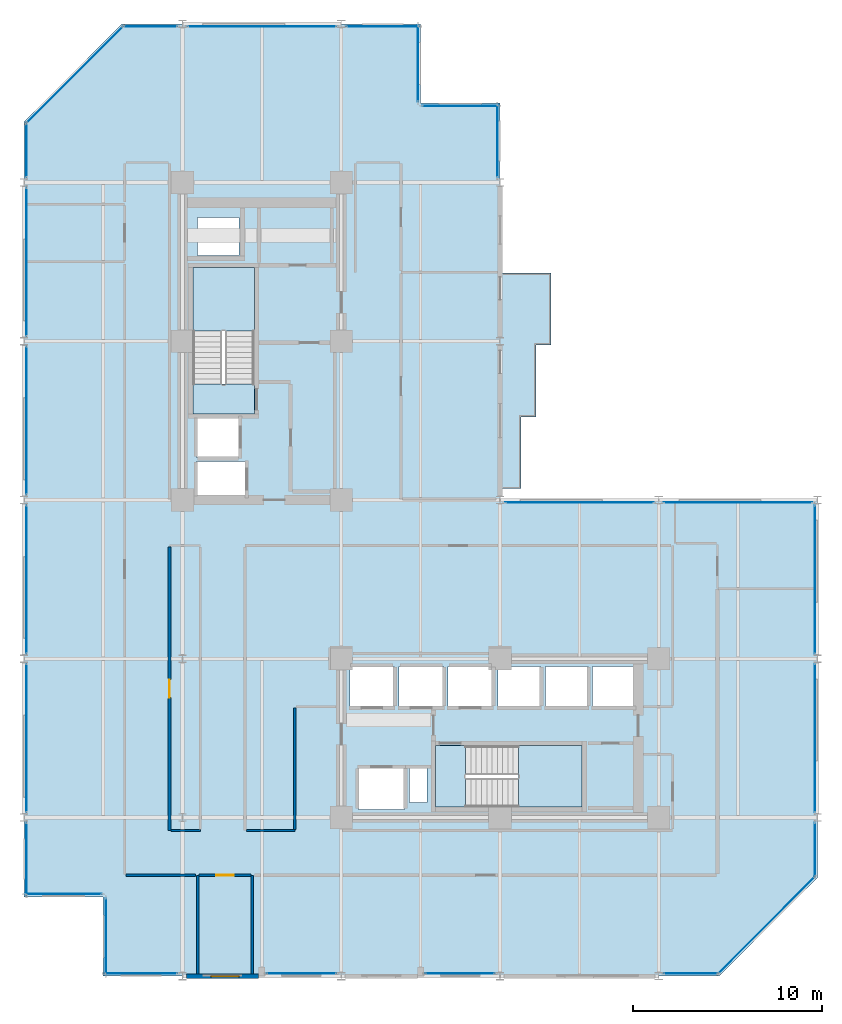
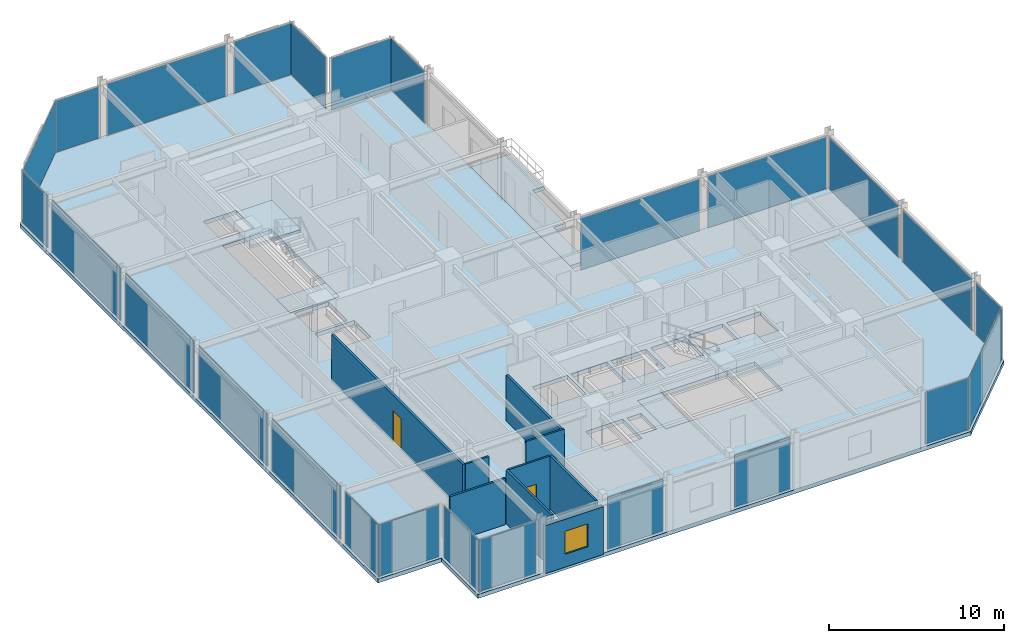
# One storey, part 23 of 29: 25 plates, 9 walls, 6 slabs, 2 doors, 1 window, 3 openings, 27 elements without a shape of their own.
"""IFC4 building model written with IfcOpenShell, lengths in metres."""

from ifc_helpers import new_model, si_unit, direction, frame, frame_2d, origin, origin_2d, place, context, subcontext, project, spatial, polyline, rectangle, outline, extrude, material, layer, layer_set, type_object, element, fill, aggregate, save


model = new_model("IFC4")

# Units and contexts
model_context = context("Model", 3, precision=1e-05, world=origin(), true_north=direction((0.0, 1.0)))
body_context = subcontext(model_context, "Body", "Model", "MODEL_VIEW")
ifc_project = project(units=[si_unit("LENGTHUNIT", "METRE"), si_unit("AREAUNIT", "SQUARE_METRE"), si_unit("VOLUMEUNIT", "CUBIC_METRE"), si_unit("PLANEANGLEUNIT", "RADIAN"), si_unit("MASSUNIT", "GRAM", prefix="KILO")], contexts=[model_context])

# Site, building, storey
site_placement = place(None, origin())
site = spatial("IfcSite", under=ifc_project, at=site_placement, CompositionType="ELEMENT")
building_placement = place(site_placement, origin())
building = spatial("IfcBuilding", under=site, at=building_placement, Name="Nerrivon Quay Data Exchange", CompositionType="ELEMENT")
storey_placement = place(building_placement, frame((0.0, 0.0, 158.199951171875)))
storey = spatial("IfcBuildingStorey", under=building, at=storey_placement, Name="L37", CompositionType="ELEMENT", Elevation=158.199951171875)

# Curtain wall, plate
ifc_material_1 = material(Name="Anodised aluminium 6063-T6", Category="aluminium")
ifc_layer_1 = layer(ifc_material_1, 0.2099609375)
ifc_layer_set_1 = layer_set([ifc_layer_1], Name="Anodised aluminium 6063-T6")
curtain_wall_type = type_object("IfcCurtainWallType", Name="CW-SYS-02", PredefinedType="NOTDEFINED", material=ifc_layer_set_1)
curtain_wall_1_placement = place(storey_placement, origin())
curtain_wall_1 = element("IfcCurtainWall", 1, at=curtain_wall_1_placement, inside=storey, type_object=curtain_wall_type, Name="L37 Unitised Curtain Wall 1", PredefinedType="NOTDEFINED")
ifc_material_2 = material(Name="Double-glazed low-E solar control glass", Category="glass")
ifc_layer_2 = layer(ifc_material_2, 0.028076171875)
ifc_layer_set_2 = layer_set([ifc_layer_2], Name="Double-glazed low-E solar control glass")
plate_type = type_object("IfcPlateType", Name="CWP-GLZ-28", PredefinedType="CURTAIN_PANEL", material=ifc_layer_set_2)
plate_1_placement = place(storey_placement, frame((39.301025390625, 2.698974609375, 0.06494140625), z_axis=(0.0, 0.0, 1.0), x_axis=(-0.707106781187, -0.707106781187, 0.0)))
plate_1 = element("IfcPlate", 2, at=plate_1_placement, type_object=plate_type, Name="CW02 panel 1.1", PredefinedType="CURTAIN_PANEL", context=body_context, shape_type="SweptSolid", body=[
    extrude(rectangle(XDim=7.203857421875, YDim=0.028076171875, at=origin_2d()), origin(), (0.0, 0.0, 1.0), 3.6201171875),
])
aggregate(curtain_wall_1, [plate_1])

curtain_wall_2_placement = place(storey_placement, origin())
curtain_wall_2 = element("IfcCurtainWall", 3, at=curtain_wall_2_placement, inside=storey, type_object=curtain_wall_type, Name="L37 Unitised Curtain Wall 2", PredefinedType="NOTDEFINED")
plate_2_placement = place(storey_placement, frame((35.300048828125, 0.139892578125, 0.06494140625), z_axis=(0.0, 0.0, 1.0), x_axis=(-1.0, 0.0, 0.0)))
plate_2 = element("IfcPlate", 4, at=plate_2_placement, type_object=plate_type, Name="CW02 panel 1.1", PredefinedType="CURTAIN_PANEL", context=body_context, shape_type="SweptSolid", body=[
    extrude(rectangle(XDim=2.85009765625, YDim=0.028076171875, at=origin_2d()), origin(), (0.0, 0.0, 1.0), 3.6201171875),
])
aggregate(curtain_wall_2, [plate_2])

curtain_wall_3_placement = place(storey_placement, origin())
curtain_wall_3 = element("IfcCurtainWall", 5, at=curtain_wall_3_placement, inside=storey, type_object=curtain_wall_type, Name="L37 Unitised Curtain Wall 4", PredefinedType="NOTDEFINED")
plate_3_placement = place(storey_placement, frame((23.08740234375, 0.139892578125, 0.06494140625), z_axis=(0.0, 0.0, 1.0), x_axis=(-1.0, 0.0, 0.0)))
plate_3 = element("IfcPlate", 6, at=plate_3_placement, type_object=plate_type, Name="CW02 panel 1.1", PredefinedType="CURTAIN_PANEL", context=body_context, shape_type="SweptSolid", body=[
    extrude(rectangle(XDim=3.675048828125, YDim=0.028076171875, at=origin_2d()), origin(), (0.0, 0.0, 1.0), 3.6201171875),
])
aggregate(curtain_wall_3, [plate_3])

curtain_wall_4_placement = place(storey_placement, origin())
curtain_wall_4 = element("IfcCurtainWall", 7, at=curtain_wall_4_placement, inside=storey, type_object=curtain_wall_type, Name="L37 Unitised Curtain Wall 6", PredefinedType="NOTDEFINED")
plate_4_placement = place(storey_placement, frame((14.6875, 0.139892578125, 0.06494140625), z_axis=(0.0, 0.0, 1.0), x_axis=(-1.0, 0.0, 0.0)))
plate_4 = element("IfcPlate", 8, at=plate_4_placement, type_object=plate_type, Name="CW02 panel 1.1", PredefinedType="CURTAIN_PANEL", context=body_context, shape_type="SweptSolid", body=[
    extrude(rectangle(XDim=3.675048828125, YDim=0.028076171875, at=origin_2d()), origin(), (0.0, 0.0, 1.0), 3.6201171875),
])
aggregate(curtain_wall_4, [plate_4])

curtain_wall_5_placement = place(storey_placement, origin())
curtain_wall_5 = element("IfcCurtainWall", 9, at=curtain_wall_5_placement, inside=storey, type_object=curtain_wall_type, Name="L37 Unitised Curtain Wall 8", PredefinedType="NOTDEFINED")
plate_5_placement = place(storey_placement, frame((6.199951171875, 0.139892578125, 0.06494140625), z_axis=(0.0, 0.0, 1.0), x_axis=(-1.0, 0.0, 0.0)))
plate_5 = element("IfcPlate", 10, at=plate_5_placement, type_object=plate_type, Name="CW02 panel 1.1", PredefinedType="CURTAIN_PANEL", context=body_context, shape_type="SweptSolid", body=[
    extrude(rectangle(XDim=3.85009765625, YDim=0.028076171875, at=origin_2d()), origin(), (0.0, 0.0, 1.0), 3.6201171875),
])
aggregate(curtain_wall_5, [plate_5])

curtain_wall_6_placement = place(storey_placement, origin())
curtain_wall_6 = element("IfcCurtainWall", 11, at=curtain_wall_6_placement, inside=storey, type_object=curtain_wall_type, Name="L37 Unitised Curtain Wall 9", PredefinedType="NOTDEFINED")
plate_6_placement = place(storey_placement, frame((4.340087890625, 2.10009765625, 0.06494140625), z_axis=(0.0, 0.0, 1.0), x_axis=(0.0, 1.0, 0.0)))
plate_6 = element("IfcPlate", 12, at=plate_6_placement, type_object=plate_type, Name="CW02 panel 1.1", PredefinedType="CURTAIN_PANEL", context=body_context, shape_type="SweptSolid", body=[
    extrude(rectangle(XDim=4.050048828125, YDim=0.028076171875, at=origin_2d()), origin(), (0.0, 0.0, 1.0), 3.6201171875),
])
aggregate(curtain_wall_6, [plate_6])

curtain_wall_7_placement = place(storey_placement, origin())
curtain_wall_7 = element("IfcCurtainWall", 13, at=curtain_wall_7_placement, inside=storey, type_object=curtain_wall_type, Name="L37 Unitised Curtain Wall 10", PredefinedType="NOTDEFINED")
plate_7_placement = place(storey_placement, frame((2.10009765625, 4.340087890625, 0.06494140625), z_axis=(0.0, 0.0, 1.0), x_axis=(-1.0, 0.0, 0.0)))
plate_7 = element("IfcPlate", 14, at=plate_7_placement, type_object=plate_type, Name="CW02 panel 1.1", PredefinedType="CURTAIN_PANEL", context=body_context, shape_type="SweptSolid", body=[
    extrude(rectangle(XDim=4.050048828125, YDim=0.028076171875, at=origin_2d()), origin(), (0.0, 0.0, 1.0), 3.6201171875),
])
aggregate(curtain_wall_7, [plate_7])

curtain_wall_8_placement = place(storey_placement, origin())
curtain_wall_8 = element("IfcCurtainWall", 15, at=curtain_wall_8_placement, inside=storey, type_object=curtain_wall_type, Name="L37 Unitised Curtain Wall 11", PredefinedType="NOTDEFINED")
plate_8_placement = place(storey_placement, frame((0.139892578125, 6.199951171875, 0.06494140625), z_axis=(0.0, 0.0, 1.0), x_axis=(0.0, 1.0, 0.0)))
plate_8 = element("IfcPlate", 16, at=plate_8_placement, type_object=plate_type, Name="CW02 panel 1.1", PredefinedType="CURTAIN_PANEL", context=body_context, shape_type="SweptSolid", body=[
    extrude(rectangle(XDim=3.85009765625, YDim=0.028076171875, at=origin_2d()), origin(), (0.0, 0.0, 1.0), 3.6201171875),
])
aggregate(curtain_wall_8, [plate_8])

curtain_wall_9_placement = place(storey_placement, origin())
curtain_wall_9 = element("IfcCurtainWall", 17, at=curtain_wall_9_placement, inside=storey, type_object=curtain_wall_type, Name="L37 Unitised Curtain Wall 12", PredefinedType="NOTDEFINED")
plate_9_placement = place(storey_placement, frame((0.139892578125, 12.60009765625, 0.06494140625), z_axis=(0.0, 0.0, 1.0), x_axis=(0.0, 1.0, 0.0)))
plate_9 = element("IfcPlate", 18, at=plate_9_placement, type_object=plate_type, Name="CW02 panel 1.1", PredefinedType="CURTAIN_PANEL", context=body_context, shape_type="SweptSolid", body=[
    extrude(rectangle(XDim=7.85009765625, YDim=0.028076171875, at=origin_2d()), origin(), (0.0, 0.0, 1.0), 3.6201171875),
])
aggregate(curtain_wall_9, [plate_9])

curtain_wall_10_placement = place(storey_placement, origin())
curtain_wall_10 = element("IfcCurtainWall", 19, at=curtain_wall_10_placement, inside=storey, type_object=curtain_wall_type, Name="L37 Unitised Curtain Wall 13", PredefinedType="NOTDEFINED")
plate_10_placement = place(storey_placement, frame((0.139892578125, 21.0, 0.06494140625), z_axis=(0.0, 0.0, 1.0), x_axis=(0.0, 1.0, 0.0)))
plate_10 = element("IfcPlate", 20, at=plate_10_placement, type_object=plate_type, Name="CW02 panel 1.1", PredefinedType="CURTAIN_PANEL", context=body_context, shape_type="SweptSolid", body=[
    extrude(rectangle(XDim=7.85009765625, YDim=0.028076171875, at=origin_2d()), origin(), (0.0, 0.0, 1.0), 3.6201171875),
])
aggregate(curtain_wall_10, [plate_10])

curtain_wall_11_placement = place(storey_placement, origin())
curtain_wall_11 = element("IfcCurtainWall", 21, at=curtain_wall_11_placement, inside=storey, type_object=curtain_wall_type, Name="L37 Unitised Curtain Wall 14", PredefinedType="NOTDEFINED")
plate_11_placement = place(storey_placement, frame((0.139892578125, 29.39990234375, 0.06494140625), z_axis=(0.0, 0.0, 1.0), x_axis=(0.0, 1.0, 0.0)))
plate_11 = element("IfcPlate", 22, at=plate_11_placement, type_object=plate_type, Name="CW02 panel 1.1", PredefinedType="CURTAIN_PANEL", context=body_context, shape_type="SweptSolid", body=[
    extrude(rectangle(XDim=7.85009765625, YDim=0.028076171875, at=origin_2d()), origin(), (0.0, 0.0, 1.0), 3.6201171875),
])
aggregate(curtain_wall_11, [plate_11])

curtain_wall_12_placement = place(storey_placement, origin())
curtain_wall_12 = element("IfcCurtainWall", 23, at=curtain_wall_12_placement, inside=storey, type_object=curtain_wall_type, Name="L37 Unitised Curtain Wall 15", PredefinedType="NOTDEFINED")
plate_12_placement = place(storey_placement, frame((0.139892578125, 37.800048828125, 0.06494140625), z_axis=(0.0, 0.0, 1.0), x_axis=(0.0, 1.0, 0.0)))
plate_12 = element("IfcPlate", 24, at=plate_12_placement, type_object=plate_type, Name="CW02 panel 1.1", PredefinedType="CURTAIN_PANEL", context=body_context, shape_type="SweptSolid", body=[
    extrude(rectangle(XDim=7.85009765625, YDim=0.028076171875, at=origin_2d()), origin(), (0.0, 0.0, 1.0), 3.6201171875),
])
aggregate(curtain_wall_12, [plate_12])

curtain_wall_13_placement = place(storey_placement, origin())
curtain_wall_13 = element("IfcCurtainWall", 25, at=curtain_wall_13_placement, inside=storey, type_object=curtain_wall_type, Name="L37 Unitised Curtain Wall 16", PredefinedType="NOTDEFINED")
plate_13_placement = place(storey_placement, frame((0.139892578125, 43.699951171875, 0.06494140625), z_axis=(0.0, 0.0, 1.0), x_axis=(0.0, 1.0, 0.0)))
plate_13 = element("IfcPlate", 26, at=plate_13_placement, type_object=plate_type, Name="CW02 panel 1.1", PredefinedType="CURTAIN_PANEL", context=body_context, shape_type="SweptSolid", body=[
    extrude(rectangle(XDim=2.85009765625, YDim=0.028076171875, at=origin_2d()), origin(), (0.0, 0.0, 1.0), 3.6201171875),
])
aggregate(curtain_wall_13, [plate_13])

curtain_wall_14_placement = place(storey_placement, origin())
curtain_wall_14 = element("IfcCurtainWall", 27, at=curtain_wall_14_placement, inside=storey, type_object=curtain_wall_type, Name="L37 Unitised Curtain Wall 17", PredefinedType="NOTDEFINED")
plate_14_placement = place(storey_placement, frame((2.698974609375, 47.700927734375, 0.06494140625), z_axis=(0.0, 0.0, 1.0), x_axis=(0.707106781187, 0.707106781187, 0.0)))
plate_14 = element("IfcPlate", 28, at=plate_14_placement, type_object=plate_type, Name="CW02 panel 1.1", PredefinedType="CURTAIN_PANEL", context=body_context, shape_type="SweptSolid", body=[
    extrude(rectangle(XDim=7.203857421875, YDim=0.028076171875, at=origin_2d()), origin(), (0.0, 0.0, 1.0), 3.6201171875),
])
aggregate(curtain_wall_14, [plate_14])

curtain_wall_15_placement = place(storey_placement, origin())
curtain_wall_15 = element("IfcCurtainWall", 29, at=curtain_wall_15_placement, inside=storey, type_object=curtain_wall_type, Name="L37 Unitised Curtain Wall 18", PredefinedType="NOTDEFINED")
plate_15_placement = place(storey_placement, frame((6.699951171875, 50.260009765625, 0.06494140625), z_axis=(0.0, 0.0, 1.0), x_axis=(1.0, 0.0, 0.0)))
plate_15 = element("IfcPlate", 30, at=plate_15_placement, type_object=plate_type, Name="CW02 panel 1.1", PredefinedType="CURTAIN_PANEL", context=body_context, shape_type="SweptSolid", body=[
    extrude(rectangle(XDim=2.85009765625, YDim=0.028076171875, at=origin_2d()), origin(), (0.0, 0.0, 1.0), 3.6201171875),
])
aggregate(curtain_wall_15, [plate_15])

curtain_wall_16_placement = place(storey_placement, origin())
curtain_wall_16 = element("IfcCurtainWall", 31, at=curtain_wall_16_placement, inside=storey, type_object=curtain_wall_type, Name="L37 Unitised Curtain Wall 19", PredefinedType="NOTDEFINED")
plate_16_placement = place(storey_placement, frame((12.60009765625, 50.260009765625, 0.06494140625), z_axis=(0.0, 0.0, 1.0), x_axis=(1.0, 0.0, 0.0)))
plate_16 = element("IfcPlate", 32, at=plate_16_placement, type_object=plate_type, Name="CW02 panel 1.1", PredefinedType="CURTAIN_PANEL", context=body_context, shape_type="SweptSolid", body=[
    extrude(rectangle(XDim=7.85009765625, YDim=0.028076171875, at=origin_2d()), origin(), (0.0, 0.0, 1.0), 3.6201171875),
])
aggregate(curtain_wall_16, [plate_16])

curtain_wall_17_placement = place(storey_placement, origin())
curtain_wall_17 = element("IfcCurtainWall", 33, at=curtain_wall_17_placement, inside=storey, type_object=curtain_wall_type, Name="L37 Unitised Curtain Wall 20", PredefinedType="NOTDEFINED")
plate_17_placement = place(storey_placement, frame((19.0, 50.260009765625, 0.06494140625), z_axis=(0.0, 0.0, 1.0), x_axis=(1.0, 0.0, 0.0)))
plate_17 = element("IfcPlate", 34, at=plate_17_placement, type_object=plate_type, Name="CW02 panel 1.1", PredefinedType="CURTAIN_PANEL", context=body_context, shape_type="SweptSolid", body=[
    extrude(rectangle(XDim=3.85009765625, YDim=0.028076171875, at=origin_2d()), origin(), (0.0, 0.0, 1.0), 3.6201171875),
])
aggregate(curtain_wall_17, [plate_17])

curtain_wall_18_placement = place(storey_placement, origin())
curtain_wall_18 = element("IfcCurtainWall", 35, at=curtain_wall_18_placement, inside=storey, type_object=curtain_wall_type, Name="L37 Unitised Curtain Wall 21", PredefinedType="NOTDEFINED")
plate_18_placement = place(storey_placement, frame((20.860107421875, 48.300048828125, 0.06494140625), z_axis=(0.0, 0.0, 1.0), x_axis=(0.0, -1.0, 0.0)))
plate_18 = element("IfcPlate", 36, at=plate_18_placement, type_object=plate_type, Name="CW02 panel 1.1", PredefinedType="CURTAIN_PANEL", context=body_context, shape_type="SweptSolid", body=[
    extrude(rectangle(XDim=4.050048828125, YDim=0.028076171875, at=origin_2d()), origin(), (0.0, 0.0, 1.0), 3.6201171875),
])
aggregate(curtain_wall_18, [plate_18])

curtain_wall_19_placement = place(storey_placement, origin())
curtain_wall_19 = element("IfcCurtainWall", 37, at=curtain_wall_19_placement, inside=storey, type_object=curtain_wall_type, Name="L37 Unitised Curtain Wall 22", PredefinedType="NOTDEFINED")
plate_19_placement = place(storey_placement, frame((23.10009765625, 46.06005859375, 0.06494140625), z_axis=(0.0, 0.0, 1.0), x_axis=(1.0, 0.0, 0.0)))
plate_19 = element("IfcPlate", 38, at=plate_19_placement, type_object=plate_type, Name="CW02 panel 1.1", PredefinedType="CURTAIN_PANEL", context=body_context, shape_type="SweptSolid", body=[
    extrude(rectangle(XDim=4.050048828125, YDim=0.028076171875, at=origin_2d()), origin(), (0.0, 0.0, 1.0), 3.6201171875),
])
aggregate(curtain_wall_19, [plate_19])

curtain_wall_20_placement = place(storey_placement, origin())
curtain_wall_20 = element("IfcCurtainWall", 39, at=curtain_wall_20_placement, inside=storey, type_object=curtain_wall_type, Name="L37 Unitised Curtain Wall 23", PredefinedType="NOTDEFINED")
plate_20_placement = place(storey_placement, frame((25.06005859375, 44.199951171875, 0.06494140625), z_axis=(0.0, 0.0, 1.0), x_axis=(0.0, -1.0, 0.0)))
plate_20 = element("IfcPlate", 40, at=plate_20_placement, type_object=plate_type, Name="CW02 panel 1.1", PredefinedType="CURTAIN_PANEL", context=body_context, shape_type="SweptSolid", body=[
    extrude(rectangle(XDim=3.85009765625, YDim=0.028076171875, at=origin_2d()), origin(), (0.0, 0.0, 1.0), 3.6201171875),
])
aggregate(curtain_wall_20, [plate_20])

curtain_wall_21_placement = place(storey_placement, origin())
curtain_wall_21 = element("IfcCurtainWall", 41, at=curtain_wall_21_placement, inside=storey, type_object=curtain_wall_type, Name="L37 Unitised Curtain Wall 26", PredefinedType="NOTDEFINED")
plate_21_placement = place(storey_placement, frame((29.39990234375, 25.06005859375, 0.06494140625), z_axis=(0.0, 0.0, 1.0), x_axis=(1.0, 0.0, 0.0)))
plate_21 = element("IfcPlate", 42, at=plate_21_placement, type_object=plate_type, Name="CW02 panel 1.1", PredefinedType="CURTAIN_PANEL", context=body_context, shape_type="SweptSolid", body=[
    extrude(rectangle(XDim=7.85009765625, YDim=0.028076171875, at=origin_2d()), origin(), (0.0, 0.0, 1.0), 3.6201171875),
])
aggregate(curtain_wall_21, [plate_21])

curtain_wall_22_placement = place(storey_placement, origin())
curtain_wall_22 = element("IfcCurtainWall", 43, at=curtain_wall_22_placement, inside=storey, type_object=curtain_wall_type, Name="L37 Unitised Curtain Wall 27", PredefinedType="NOTDEFINED")
plate_22_placement = place(storey_placement, frame((37.800048828125, 25.06005859375, 0.06494140625), z_axis=(0.0, 0.0, 1.0), x_axis=(1.0, 0.0, 0.0)))
plate_22 = element("IfcPlate", 44, at=plate_22_placement, type_object=plate_type, Name="CW02 panel 1.1", PredefinedType="CURTAIN_PANEL", context=body_context, shape_type="SweptSolid", body=[
    extrude(rectangle(XDim=7.85009765625, YDim=0.028076171875, at=origin_2d()), origin(), (0.0, 0.0, 1.0), 3.6201171875),
])
aggregate(curtain_wall_22, [plate_22])

curtain_wall_23_placement = place(storey_placement, origin())
curtain_wall_23 = element("IfcCurtainWall", 45, at=curtain_wall_23_placement, inside=storey, type_object=curtain_wall_type, Name="L37 Unitised Curtain Wall 28", PredefinedType="NOTDEFINED")
plate_23_placement = place(storey_placement, frame((41.860107421875, 21.0, 0.06494140625), z_axis=(0.0, 0.0, 1.0), x_axis=(0.0, -1.0, 0.0)))
plate_23 = element("IfcPlate", 46, at=plate_23_placement, type_object=plate_type, Name="CW02 panel 1.1", PredefinedType="CURTAIN_PANEL", context=body_context, shape_type="SweptSolid", body=[
    extrude(rectangle(XDim=7.85009765625, YDim=0.028076171875, at=origin_2d()), origin(), (0.0, 0.0, 1.0), 3.6201171875),
])
aggregate(curtain_wall_23, [plate_23])

curtain_wall_24_placement = place(storey_placement, origin())
curtain_wall_24 = element("IfcCurtainWall", 47, at=curtain_wall_24_placement, inside=storey, type_object=curtain_wall_type, Name="L37 Unitised Curtain Wall 29", PredefinedType="NOTDEFINED")
plate_24_placement = place(storey_placement, frame((41.860107421875, 12.60009765625, 0.06494140625), z_axis=(0.0, 0.0, 1.0), x_axis=(0.0, -1.0, 0.0)))
plate_24 = element("IfcPlate", 48, at=plate_24_placement, type_object=plate_type, Name="CW02 panel 1.1", PredefinedType="CURTAIN_PANEL", context=body_context, shape_type="SweptSolid", body=[
    extrude(rectangle(XDim=7.85009765625, YDim=0.028076171875, at=origin_2d()), origin(), (0.0, 0.0, 1.0), 3.6201171875),
])
aggregate(curtain_wall_24, [plate_24])

curtain_wall_25_placement = place(storey_placement, origin())
curtain_wall_25 = element("IfcCurtainWall", 49, at=curtain_wall_25_placement, inside=storey, type_object=curtain_wall_type, Name="L37 Unitised Curtain Wall 30", PredefinedType="NOTDEFINED")
plate_25_placement = place(storey_placement, frame((41.860107421875, 6.699951171875, 0.06494140625), z_axis=(0.0, 0.0, 1.0), x_axis=(0.0, -1.0, 0.0)))
plate_25 = element("IfcPlate", 50, at=plate_25_placement, type_object=plate_type, Name="CW02 panel 1.1", PredefinedType="CURTAIN_PANEL", context=body_context, shape_type="SweptSolid", body=[
    extrude(rectangle(XDim=2.85009765625, YDim=0.028076171875, at=origin_2d()), origin(), (0.0, 0.0, 1.0), 3.6201171875),
])
aggregate(curtain_wall_25, [plate_25])

# Slab
ifc_material_3 = material(Name="Precast white architectural concrete N50 (50 MPa)", Category="concrete")
ifc_layer_3 = layer(ifc_material_3, 0.25)
ifc_layer_set_3 = layer_set([ifc_layer_3], Name="Precast white architectural concrete N50 (50 MPa)")
slab_type_1 = type_object("IfcSlabType", Name="SLB-BAL-250", PredefinedType="FLOOR", material=ifc_layer_set_3)
slab_1_placement = place(storey_placement, frame((0.0, 0.0, -0.25)))
element("IfcSlab", 51, at=slab_1_placement, inside=storey, type_object=slab_type_1, Name="L37 Waterfront Subtropical Verandah", PredefinedType="FLOOR", context=body_context, shape_type="SweptSolid", body=[
    extrude(outline(polyline([(26.300048828125, 29.60009765625), (27.10009765625, 29.60009765625), (27.10009765625, 33.39990234375), (27.89990234375, 33.39990234375), (27.89990234375, 37.199951171875), (25.199951171875, 37.199951171875), (25.199951171875, 33.39990234375), (25.199951171875, 29.60009765625), (25.199951171875, 25.800048828125), (26.300048828125, 25.800048828125), (26.300048828125, 29.60009765625)])), origin(), (0.0, 0.0, 1.0), 0.25),
])

# Stair, slab
ifc_material_4 = material(Name="Concrete N50 (50 MPa)", Category="concrete")
stair_type = type_object("IfcStairType", Name="STAIR-DOG-41", PredefinedType="HALF_TURN_STAIR", material=ifc_material_4)
stair_1_placement = place(storey_placement, origin())
stair_1 = element("IfcStair", 52, at=stair_1_placement, inside=storey, type_object=stair_type, Name="L37 West Core Fire Stair ST01", PredefinedType="HALF_TURN_STAIR")
ifc_layer_4 = layer(ifc_material_4, 0.199951171875)
ifc_layer_set_4 = layer_set([ifc_layer_4], Name="Concrete N50 (50 MPa)")
slab_type_2 = type_object("IfcSlabType", Name="SLB-LAND-200", PredefinedType="LANDING", material=ifc_layer_set_4)
slab_2_placement = place(storey_placement, frame((0.0, 0.0, 1.85009765625)))
slab_2 = element("IfcSlab", 53, at=slab_2_placement, type_object=slab_type_2, Name="ST01 landing 1", PredefinedType="LANDING", context=body_context, shape_type="SweptSolid", body=[
    extrude(outline(polyline([(12.199951171875, 34.1298828125), (12.199951171875, 37.5), (8.949951171875, 37.5), (8.949951171875, 34.1298828125), (12.199951171875, 34.1298828125)])), origin(), (0.0, 0.0, 1.0), 0.199951171875),
])
aggregate(stair_1, [slab_2])

# Slab
slab_3_placement = place(storey_placement, frame((0.0, 0.0, -0.199951171875)))
element("IfcSlab", 54, at=slab_3_placement, inside=storey, type_object=slab_type_2, Name="L37 ST01 floor landing", PredefinedType="LANDING", context=body_context, shape_type="SweptSolid", body=[
    extrude(outline(polyline([(12.199951171875, 29.75), (12.199951171875, 31.330078125), (8.949951171875, 31.330078125), (8.949951171875, 29.75), (12.199951171875, 29.75)])), origin(), (0.0, 0.0, 1.0), 0.199951171875),
])

# Stair, slab
stair_2_placement = place(storey_placement, origin())
stair_2 = element("IfcStair", 55, at=stair_2_placement, inside=storey, type_object=stair_type, Name="L37 East Core Fire Stair ST02", PredefinedType="HALF_TURN_STAIR")
slab_4_placement = place(storey_placement, frame((0.0, 0.0, 1.85009765625)))
slab_4 = element("IfcSlab", 56, at=slab_4_placement, type_object=slab_type_2, Name="ST02 landing 1", PredefinedType="LANDING", context=body_context, shape_type="SweptSolid", body=[
    extrude(outline(polyline([(26.179931640625, 8.949951171875), (29.550048828125, 8.949951171875), (29.550048828125, 12.199951171875), (26.179931640625, 12.199951171875), (26.179931640625, 8.949951171875)])), origin(), (0.0, 0.0, 1.0), 0.199951171875),
])
aggregate(stair_2, [slab_4])

# Slabs
slab_5_placement = place(storey_placement, frame((0.0, 0.0, -0.199951171875)))
element("IfcSlab", 57, at=slab_5_placement, inside=storey, type_object=slab_type_2, Name="L37 ST02 floor landing", PredefinedType="LANDING", context=body_context, shape_type="SweptSolid", body=[
    extrude(outline(polyline([(21.800048828125, 8.949951171875), (23.3798828125, 8.949951171875), (23.3798828125, 12.199951171875), (21.800048828125, 12.199951171875), (21.800048828125, 8.949951171875)])), origin(), (0.0, 0.0, 1.0), 0.199951171875),
])
ifc_layer_5 = layer(ifc_material_4, 0.27490234375)
ifc_layer_set_5 = layer_set([ifc_layer_5], Name="Concrete N50 (50 MPa)")
slab_type_3 = type_object("IfcSlabType", Name="SLB-TOW-275", PredefinedType="FLOOR", material=ifc_layer_set_5)
slab_6_placement = place(storey_placement, frame((0.0, 0.0, -0.27490234375)))
element("IfcSlab", 58, at=slab_6_placement, inside=storey, type_object=slab_type_3, Name="L37 Primary Structural Slab", PredefinedType="FLOOR", context=body_context, shape_type="SweptSolid", body=[
    extrude(outline(polyline([(42.0, 25.199951171875), (25.199951171875, 25.199951171875), (25.199951171875, 46.199951171875), (21.0, 46.199951171875), (21.0, 50.39990234375), (5.199951171875, 50.39990234375), (0.0, 45.199951171875), (0.0, 4.199951171875), (4.199951171875, 4.199951171875), (4.199951171875, 0.0), (36.800048828125, 0.0), (42.0, 5.199951171875), (42.0, 25.199951171875)]), holes=[polyline([(8.949951171875, 29.75), (8.949951171875, 37.5), (12.199951171875, 37.5), (12.199951171875, 29.75), (8.949951171875, 29.75)]), polyline([(21.800048828125, 12.199951171875), (29.550048828125, 12.199951171875), (29.550048828125, 8.949951171875), (21.800048828125, 8.949951171875), (21.800048828125, 12.199951171875)]), polyline([(30.10009765625, 16.39990234375), (32.35009765625, 16.39990234375), (32.35009765625, 14.25), (30.10009765625, 14.25), (30.10009765625, 16.39990234375)]), polyline([(27.60009765625, 16.39990234375), (29.85009765625, 16.39990234375), (29.85009765625, 14.25), (27.60009765625, 14.25), (27.60009765625, 16.39990234375)]), polyline([(25.10009765625, 14.25), (25.10009765625, 16.39990234375), (27.35009765625, 16.39990234375), (27.35009765625, 14.25), (25.10009765625, 14.25)]), polyline([(22.449951171875, 16.39990234375), (24.800048828125, 16.39990234375), (24.800048828125, 14.25), (22.449951171875, 14.25), (22.449951171875, 16.39990234375)]), polyline([(19.85009765625, 16.39990234375), (22.199951171875, 16.39990234375), (22.199951171875, 14.25), (19.85009765625, 14.25), (19.85009765625, 16.39990234375)]), polyline([(20.39990234375, 9.199951171875), (20.39990234375, 11.0), (21.35009765625, 11.0), (21.35009765625, 9.199951171875), (20.39990234375, 9.199951171875)]), polyline([(17.699951171875, 8.830078125), (17.699951171875, 11.030029296875), (20.14990234375, 11.030029296875), (20.14990234375, 8.830078125), (17.699951171875, 8.830078125)]), polyline([(17.25, 14.25), (17.25, 16.39990234375), (19.60009765625, 16.39990234375), (19.60009765625, 14.25), (17.25, 14.25)]), polyline([(9.14990234375, 27.25), (11.75, 27.25), (11.75, 25.35009765625), (9.14990234375, 25.35009765625), (9.14990234375, 27.25)]), polyline([(9.14990234375, 29.60009765625), (11.39990234375, 29.60009765625), (11.39990234375, 27.449951171875), (9.14990234375, 27.449951171875), (9.14990234375, 29.60009765625)]), polyline([(9.199951171875, 38.14990234375), (9.199951171875, 40.14990234375), (11.39990234375, 40.14990234375), (11.39990234375, 38.14990234375), (9.199951171875, 38.14990234375)])]), origin(), (0.0, 0.0, 1.0), 0.27490234375),
])

# Wall, opening, window
ifc_material_5 = material(Name="Architectural terracotta precast concrete N50 (50 MPa)", Category="masonry")
ifc_layer_6 = layer(ifc_material_5, 0.239990234375)
ifc_layer_set_6 = layer_set([ifc_layer_6], Name="Architectural terracotta precast concrete N50 (50 MPa)")
wall_type_1 = type_object("IfcWallType", Name="EW-PREC-240", PredefinedType="STANDARD", material=ifc_layer_set_6)
wall_1_placement = place(storey_placement, frame((12.425048828125, 0.0, 0.0), z_axis=(0.0, 0.0, 1.0), x_axis=(-1.0, 0.0, 0.0)))
wall_1 = element("IfcWall", 59, at=wall_1_placement, inside=storey, type_object=wall_type_1, Name="L37 Podium Precast Spandrel Wall 7", PredefinedType="STANDARD", context=body_context, shape_type="SweptSolid", body=[
    extrude(rectangle(XDim=3.824951171875, YDim=0.239990234375, at=frame_2d((1.91259765625, 0.0))), origin(), (0.0, 0.0, 1.0), 3.34716796875),
])
opening_1_placement = place(wall_1_placement, frame((1.02490234375, 0.0, 0.89990234375)))
opening_1 = element("IfcOpeningElement", 60, at=opening_1_placement, cuts=wall_1, Name="Opening WN4", PredefinedType="OPENING", context=body_context, shape_type="SweptSolid", body=[
    extrude(rectangle(XDim=1.5, YDim=1.60009765625, at=frame_2d((0.75, 0.800048828125))), frame((0.0, 0.1298828125, 0.0), z_axis=(0.0, -1.0, 0.0), x_axis=(1.0, 0.0, 0.0)), (0.0, 0.0, 1.0), 0.260009765625),
])
window_type = type_object("IfcWindowType", Name="WIN-W4-1500x1600", PartitioningType="SINGLE_PANEL", PredefinedType="WINDOW", material=ifc_material_2)
window_placement = place(opening_1_placement, origin())
window = element("IfcWindow", 61, at=window_placement, inside=storey, type_object=window_type, Name="L37 Solar Facade Window 7", OverallHeight=1.60009765625, OverallWidth=1.5, PartitioningType="SINGLE_PANEL", PredefinedType="WINDOW", context=body_context, shape_type="SweptSolid", body=[
    extrude(rectangle(XDim=1.5, YDim=1.60009765625, at=frame_2d((0.75, 0.800048828125))), frame((0.0, 0.030029296875, 0.0), z_axis=(0.0, -1.0, 0.0), x_axis=(1.0, 0.0, 0.0)), (0.0, 0.0, 1.0), 0.06005859375),
])
fill(opening_1, window)

# Wall, opening, door
ifc_material_6 = material(Name="Gypsum plasterboard on cold-formed framing", Category="gypsum")
ifc_layer_7 = layer(ifc_material_6, 0.1201171875)
ifc_layer_set_7 = layer_set([ifc_layer_7], Name="Gypsum plasterboard on cold-formed framing")
wall_type_2 = type_object("IfcWallType", Name="WALL-PT-120", PredefinedType="PARTITIONING", material=ifc_layer_set_7)
wall_2_placement = place(storey_placement, frame((12.028564453125, 5.340087890625, 0.0), z_axis=(0.0, 0.0, 1.0), x_axis=(-1.0, 0.0, 0.0)))
wall_2 = element("IfcWall", 62, at=wall_2_placement, inside=storey, type_object=wall_type_2, Name="L37 Partition Public Washrooms", PredefinedType="PARTITIONING", context=body_context, shape_type="SweptSolid", body=[
    extrude(rectangle(XDim=2.757080078125, YDim=0.1201171875, at=frame_2d((1.37841796875, 0.0))), origin(), (0.0, 0.0, 1.0), 3.75),
])
opening_2_placement = place(wall_2_placement, frame((0.91845703125, 0.0, 0.0)))
opening_2 = element("IfcOpeningElement", 63, at=opening_2_placement, cuts=wall_2, Name="Opening D-WC", PredefinedType="OPENING", context=body_context, shape_type="SweptSolid", body=[
    extrude(rectangle(XDim=0.919921875, YDim=2.10009765625, at=frame_2d((0.4599609375, 1.050048828125))), frame((0.0, 0.070068359375, 0.0), z_axis=(0.0, -1.0, 0.0), x_axis=(1.0, 0.0, 0.0)), (0.0, 0.0, 1.0), 0.14013671875),
])
ifc_material_7 = material(Name="Engineered hardwood timber", Category="wood")
door_type_1 = type_object("IfcDoorType", Name="DR-WC-920", OperationType="NOTDEFINED", PredefinedType="DOOR", material=ifc_material_7)
door_1_placement = place(opening_2_placement, origin())
door_1 = element("IfcDoor", 64, at=door_1_placement, inside=storey, type_object=door_type_1, Name="L37 Door Public Washrooms", OperationType="SINGLE_SWING_LEFT", OverallHeight=2.10009765625, OverallWidth=0.919921875, PredefinedType="DOOR", context=body_context, shape_type="SweptSolid", body=[
    extrude(rectangle(XDim=0.919921875, YDim=2.10009765625, at=frame_2d((0.4599609375, 1.050048828125))), frame((0.0, 0.02490234375, 0.0), z_axis=(0.0, -1.0, 0.0), x_axis=(1.0, 0.0, 0.0)), (0.0, 0.0, 1.0), 0.050048828125),
])
fill(opening_2, door_1)

# Walls
wall_3_placement = place(storey_placement, frame((7.7890625, 7.7099609375, 0.0), z_axis=(0.0, 0.0, 1.0), x_axis=(1.0, 0.0, 0.0)))
element("IfcWall", 65, at=wall_3_placement, inside=storey, type_object=wall_type_2, Name="L37 Partition Client Conference Room 1", PredefinedType="PARTITIONING", context=body_context, shape_type="SweptSolid", body=[
    extrude(rectangle(XDim=1.551025390625, YDim=0.1201171875, at=frame_2d((0.775390625, 0.0))), origin(), (0.0, 0.0, 1.0), 3.22216796875),
])
wall_4_placement = place(storey_placement, frame((11.7890625, 7.7099609375, 0.0), z_axis=(0.0, 0.0, 1.0), x_axis=(1.0, 0.0, 0.0)))
element("IfcWall", 66, at=wall_4_placement, inside=storey, type_object=wall_type_2, Name="L37 Partition Peering Huddle Meeting Room", PredefinedType="PARTITIONING", context=body_context, shape_type="SweptSolid", body=[
    extrude(rectangle(XDim=2.551025390625, YDim=0.1201171875, at=frame_2d((1.275390625, 0.0))), origin(), (0.0, 0.0, 1.0), 3.39404296875),
])
ifc_layer_8 = layer(ifc_material_6, 0.135009765625)
ifc_layer_set_8 = layer_set([ifc_layer_8], Name="Gypsum plasterboard on cold-formed framing")
wall_type_3 = type_object("IfcWallType", Name="WALL-PT-135", PredefinedType="PARTITIONING", material=ifc_layer_set_8)
for number, where, z_axis, x_axis, name in (
    (67, (9.199951171875, 5.340087890625, 0.0), (0.0, 0.0, 1.0), (0.0, -1.0, 0.0), "L37 Partition Public Washrooms"),
    (68, (12.10009765625, 0.1240234375, 0.0), (0.0, 0.0, 1.0), (0.0, 1.0, 0.0), "L37 Partition Public Washrooms"),
):
    element("IfcWall", number, at=place(storey_placement, frame(where, z_axis=z_axis, x_axis=x_axis)), inside=storey, type_object=wall_type_3, Name=name, PredefinedType="PARTITIONING", context=body_context, shape_type="SweptSolid", body=[
        extrude(rectangle(XDim=5.216064453125, YDim=0.135009765625, at=frame_2d((2.60791015625, 0.0))), origin(), (0.0, 0.0, 1.0), 3.75),
    ])
wall_5_placement = place(storey_placement, frame((9.080078125, 5.340087890625, 0.0), z_axis=(0.0, 0.0, 1.0), x_axis=(-1.0, 0.0, 0.0)))
element("IfcWall", 69, at=wall_5_placement, inside=storey, type_object=wall_type_3, Name="L37 Partition Technical Library", PredefinedType="PARTITIONING", context=body_context, shape_type="SweptSolid", body=[
    extrude(rectangle(XDim=3.68017578125, YDim=0.135009765625, at=frame_2d((1.840087890625, 0.0))), origin(), (0.0, 0.0, 1.0), 3.22216796875),
])

# Wall, opening, door
ifc_layer_9 = layer(ifc_material_6, 0.14990234375)
ifc_layer_set_9 = layer_set([ifc_layer_9], Name="Gypsum plasterboard on cold-formed framing")
wall_type_4 = type_object("IfcWallType", Name="WALL-PT-150", PredefinedType="PARTITIONING", material=ifc_layer_set_9)
wall_6_placement = place(storey_placement, frame((7.7099609375, 22.72607421875, 0.0), z_axis=(0.0, 0.0, 1.0), x_axis=(0.0, -1.0, 0.0)))
wall_6 = element("IfcWall", 70, at=wall_6_placement, inside=storey, type_object=wall_type_4, Name="L37 Partition Client Conference Room 1", PredefinedType="PARTITIONING", context=body_context, shape_type="SweptSolid", body=[
    extrude(rectangle(XDim=15.01611328125, YDim=0.14990234375, at=frame_2d((7.508056640625, 0.0))), origin(), (0.0, 0.0, 1.0), 3.217041015625),
])
opening_3_placement = place(wall_6_placement, frame((7.032958984375, 0.0, 0.0)))
opening_3 = element("IfcOpeningElement", 71, at=opening_3_placement, cuts=wall_6, Name="Opening D-01", PredefinedType="OPENING", context=body_context, shape_type="SweptSolid", body=[
    extrude(rectangle(XDim=0.949951171875, YDim=2.14990234375, at=frame_2d((0.47509765625, 1.074951171875))), frame((0.0, 0.0849609375, 0.0), z_axis=(0.0, -1.0, 0.0), x_axis=(1.0, 0.0, 0.0)), (0.0, 0.0, 1.0), 0.169921875),
])
door_type_2 = type_object("IfcDoorType", Name="DR-INT-950", OperationType="NOTDEFINED", PredefinedType="DOOR", material=ifc_material_7)
door_2_placement = place(opening_3_placement, origin())
door_2 = element("IfcDoor", 72, at=door_2_placement, inside=storey, type_object=door_type_2, Name="L37 Door Client Conference Room 1", OperationType="SINGLE_SWING_LEFT", OverallHeight=2.14990234375, OverallWidth=0.949951171875, PredefinedType="DOOR", context=body_context, shape_type="SweptSolid", body=[
    extrude(rectangle(XDim=0.949951171875, YDim=2.14990234375, at=frame_2d((0.47509765625, 1.074951171875))), frame((0.0, 0.02490234375, 0.0), z_axis=(0.0, -1.0, 0.0), x_axis=(1.0, 0.0, 0.0)), (0.0, 0.0, 1.0), 0.050048828125),
])
fill(opening_3, door_2)

# Wall
wall_7_placement = place(storey_placement, frame((14.340087890625, 7.77392578125, 0.0), z_axis=(0.0, 0.0, 1.0), x_axis=(0.0, 1.0, 0.0)))
element("IfcWall", 73, at=wall_7_placement, inside=storey, type_object=wall_type_4, Name="L37 Partition Peering Huddle Meeting Room", PredefinedType="PARTITIONING", context=body_context, shape_type="SweptSolid", body=[
    extrude(rectangle(XDim=6.426025390625, YDim=0.14990234375, at=frame_2d((3.212890625, 0.0))), origin(), (0.0, 0.0, 1.0), 3.217041015625),
])

save(model, "model.ifc")
